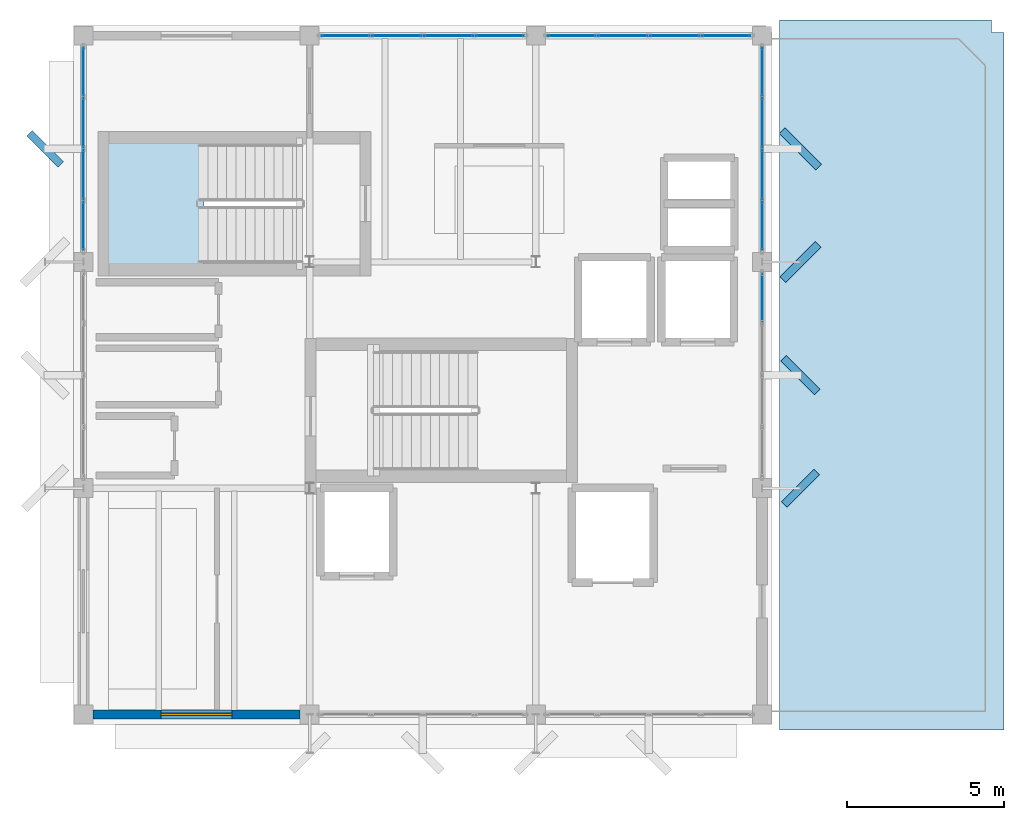
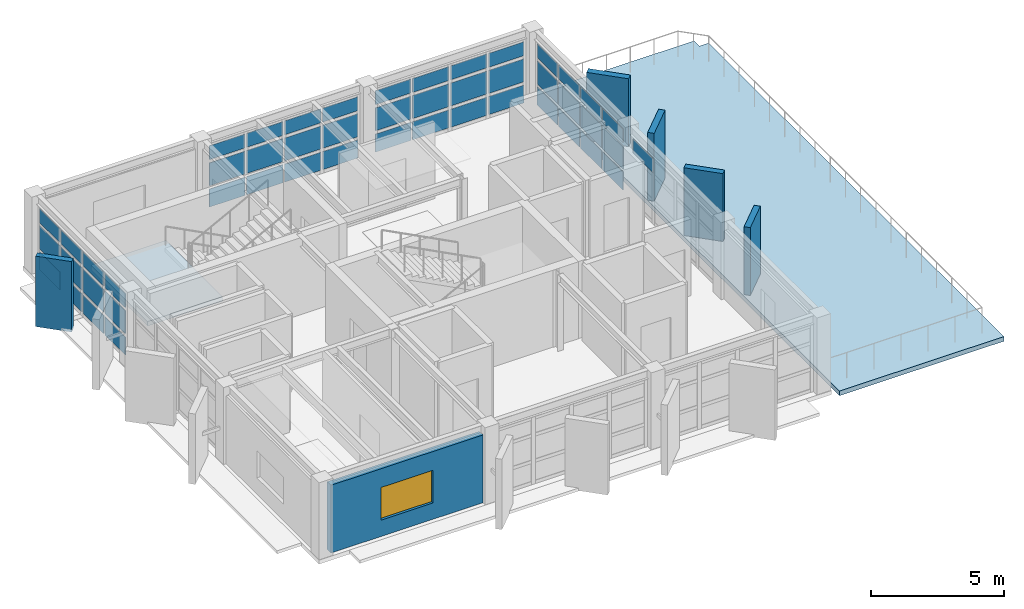
# One storey, part 8 of 13: 54 plates, 2 slabs, 1 wall, 1 window, 1 opening, 6 elements without a shape of their own.
"""IFC4 building model written with IfcOpenShell, lengths in metres."""

from ifc_helpers import new_model, si_unit, direction, frame, frame_2d, origin, origin_2d, place, context, subcontext, project, spatial, polyline, rectangle, outline, extrude, material, layer, layer_set, type_object, element, fill, aggregate, save


model = new_model("IFC4")

# Units and contexts
model_context = context("Model", 3, precision=1e-05, world=origin(), true_north=direction((0.0, 1.0)))
body_context = subcontext(model_context, "Body", "Model", "MODEL_VIEW")
ifc_project = project(units=[si_unit("LENGTHUNIT", "METRE"), si_unit("AREAUNIT", "SQUARE_METRE"), si_unit("VOLUMEUNIT", "CUBIC_METRE"), si_unit("PLANEANGLEUNIT", "RADIAN"), si_unit("MASSUNIT", "GRAM", prefix="KILO")], contexts=[model_context])

# Site, building, storey
site_placement = place(None, origin())
site = spatial("IfcSite", under=ifc_project, at=site_placement, CompositionType="ELEMENT")
building_placement = place(site_placement, origin())
building = spatial("IfcBuilding", under=site, at=building_placement, Name="Kandorven Conservatory and Botanical Research Centre", CompositionType="ELEMENT")
storey_placement = place(building_placement, frame((0.0, 0.0, 59.39990234375)))
storey = spatial("IfcBuildingStorey", under=building, at=storey_placement, Name="L15", CompositionType="ELEMENT", Elevation=59.39990234375)

# Curtain wall, plates
ifc_material_1 = material(Name="Bronze anodised thermally broken aluminium", Category="aluminium")
ifc_layer_1 = layer(ifc_material_1, 0.179931640625)
ifc_layer_set_1 = layer_set([ifc_layer_1], Name="Bronze anodised thermally broken aluminium")
curtain_wall_type = type_object("IfcCurtainWallType", Name="CW_Unitised", PredefinedType="USERDEFINED", material=ifc_layer_set_1)
curtain_wall_1_placement = place(storey_placement, origin())
curtain_wall_1 = element("IfcCurtainWall", 1, at=curtain_wall_1_placement, inside=storey, type_object=curtain_wall_type, Name="Tower laboratory curtain wall CW-TWR-N-L15-2", ObjectType="UNITISED GLAZING", PredefinedType="USERDEFINED")
ifc_material_2 = material(Name="Double-glazed solar-control low-E glass", Category="glass")
ifc_layer_2 = layer(ifc_material_2, 0.028076171875)
ifc_layer_set_2 = layer_set([ifc_layer_2], Name="Double-glazed solar-control low-E glass")
plate_type_1 = type_object("IfcPlateType", Name="CW_Panel", PredefinedType="CURTAIN_PANEL", material=ifc_layer_set_2)
plate_1_placement = place(storey_placement, frame((14.344970703125, 27.60009765625, 0.14990234375), z_axis=(0.0, 0.0, 1.0), x_axis=(1.0, 0.0, 0.0)))
plate_1 = element("IfcPlate", 2, at=plate_1_placement, type_object=plate_type_1, Name="CW-01 panel 1.1", PredefinedType="CURTAIN_PANEL", context=body_context, shape_type="SweptSolid", body=[
    extrude(rectangle(XDim=1.530029296875, YDim=0.028076171875, at=origin_2d()), origin(), (0.0, 0.0, 1.0), 0.824951171875),
])
plate_2_placement = place(storey_placement, frame((14.344970703125, 27.60009765625, 1.125), z_axis=(0.0, 0.0, 1.0), x_axis=(1.0, 0.0, 0.0)))
plate_2 = element("IfcPlate", 3, at=plate_2_placement, type_object=plate_type_1, Name="CW-01 panel 1.2", PredefinedType="CURTAIN_PANEL", context=body_context, shape_type="SweptSolid", body=[
    extrude(rectangle(XDim=1.530029296875, YDim=0.028076171875, at=origin_2d()), origin(), (0.0, 0.0, 1.0), 1.050048828125),
])
plate_3_placement = place(storey_placement, frame((14.344970703125, 27.60009765625, 2.3251953125), z_axis=(0.0, 0.0, 1.0), x_axis=(1.0, 0.0, 0.0)))
plate_3 = element("IfcPlate", 4, at=plate_3_placement, type_object=plate_type_1, Name="CW-01 panel 1.3", PredefinedType="CURTAIN_PANEL", context=body_context, shape_type="SweptSolid", body=[
    extrude(rectangle(XDim=1.530029296875, YDim=0.028076171875, at=origin_2d()), origin(), (0.0, 0.0, 1.0), 0.635009765625),
])
plate_4_placement = place(storey_placement, frame((15.97509765625, 27.60009765625, 0.14990234375), z_axis=(0.0, 0.0, 1.0), x_axis=(1.0, 0.0, 0.0)))
plate_4 = element("IfcPlate", 5, at=plate_4_placement, type_object=plate_type_1, Name="CW-01 panel 2.1", PredefinedType="CURTAIN_PANEL", context=body_context, shape_type="SweptSolid", body=[
    extrude(rectangle(XDim=1.570068359375, YDim=0.028076171875, at=origin_2d()), origin(), (0.0, 0.0, 1.0), 0.824951171875),
])
plate_5_placement = place(storey_placement, frame((15.97509765625, 27.60009765625, 1.125), z_axis=(0.0, 0.0, 1.0), x_axis=(1.0, 0.0, 0.0)))
plate_5 = element("IfcPlate", 6, at=plate_5_placement, type_object=plate_type_1, Name="CW-01 panel 2.2", PredefinedType="CURTAIN_PANEL", context=body_context, shape_type="SweptSolid", body=[
    extrude(rectangle(XDim=1.570068359375, YDim=0.028076171875, at=origin_2d()), origin(), (0.0, 0.0, 1.0), 1.050048828125),
])
plate_6_placement = place(storey_placement, frame((15.97509765625, 27.60009765625, 2.3251953125), z_axis=(0.0, 0.0, 1.0), x_axis=(1.0, 0.0, 0.0)))
plate_6 = element("IfcPlate", 7, at=plate_6_placement, type_object=plate_type_1, Name="CW-01 panel 2.3", PredefinedType="CURTAIN_PANEL", context=body_context, shape_type="SweptSolid", body=[
    extrude(rectangle(XDim=1.570068359375, YDim=0.028076171875, at=origin_2d()), origin(), (0.0, 0.0, 1.0), 0.635009765625),
])
plate_7_placement = place(storey_placement, frame((17.625, 27.60009765625, 0.14990234375), z_axis=(0.0, 0.0, 1.0), x_axis=(1.0, 0.0, 0.0)))
plate_7 = element("IfcPlate", 8, at=plate_7_placement, type_object=plate_type_1, Name="CW-01 panel 3.1", PredefinedType="CURTAIN_PANEL", context=body_context, shape_type="SweptSolid", body=[
    extrude(rectangle(XDim=1.570068359375, YDim=0.028076171875, at=origin_2d()), origin(), (0.0, 0.0, 1.0), 0.824951171875),
])
plate_8_placement = place(storey_placement, frame((17.625, 27.60009765625, 1.125), z_axis=(0.0, 0.0, 1.0), x_axis=(1.0, 0.0, 0.0)))
plate_8 = element("IfcPlate", 9, at=plate_8_placement, type_object=plate_type_1, Name="CW-01 panel 3.2", PredefinedType="CURTAIN_PANEL", context=body_context, shape_type="SweptSolid", body=[
    extrude(rectangle(XDim=1.570068359375, YDim=0.028076171875, at=origin_2d()), origin(), (0.0, 0.0, 1.0), 1.050048828125),
])
plate_9_placement = place(storey_placement, frame((17.625, 27.60009765625, 2.3251953125), z_axis=(0.0, 0.0, 1.0), x_axis=(1.0, 0.0, 0.0)))
plate_9 = element("IfcPlate", 10, at=plate_9_placement, type_object=plate_type_1, Name="CW-01 panel 3.3", PredefinedType="CURTAIN_PANEL", context=body_context, shape_type="SweptSolid", body=[
    extrude(rectangle(XDim=1.570068359375, YDim=0.028076171875, at=origin_2d()), origin(), (0.0, 0.0, 1.0), 0.635009765625),
])
plate_10_placement = place(storey_placement, frame((19.2548828125, 27.60009765625, 0.14990234375), z_axis=(0.0, 0.0, 1.0), x_axis=(1.0, 0.0, 0.0)))
plate_10 = element("IfcPlate", 11, at=plate_10_placement, type_object=plate_type_1, Name="CW-01 panel 4.1", PredefinedType="CURTAIN_PANEL", context=body_context, shape_type="SweptSolid", body=[
    extrude(rectangle(XDim=1.530029296875, YDim=0.028076171875, at=origin_2d()), origin(), (0.0, 0.0, 1.0), 0.824951171875),
])
plate_11_placement = place(storey_placement, frame((19.2548828125, 27.60009765625, 1.125), z_axis=(0.0, 0.0, 1.0), x_axis=(1.0, 0.0, 0.0)))
plate_11 = element("IfcPlate", 12, at=plate_11_placement, type_object=plate_type_1, Name="CW-01 panel 4.2", PredefinedType="CURTAIN_PANEL", context=body_context, shape_type="SweptSolid", body=[
    extrude(rectangle(XDim=1.530029296875, YDim=0.028076171875, at=origin_2d()), origin(), (0.0, 0.0, 1.0), 1.050048828125),
])
plate_12_placement = place(storey_placement, frame((19.2548828125, 27.60009765625, 2.3251953125), z_axis=(0.0, 0.0, 1.0), x_axis=(1.0, 0.0, 0.0)))
plate_12 = element("IfcPlate", 13, at=plate_12_placement, type_object=plate_type_1, Name="CW-01 panel 4.3", PredefinedType="CURTAIN_PANEL", context=body_context, shape_type="SweptSolid", body=[
    extrude(rectangle(XDim=1.530029296875, YDim=0.028076171875, at=origin_2d()), origin(), (0.0, 0.0, 1.0), 0.635009765625),
])
aggregate(curtain_wall_1, [plate_1, plate_2, plate_3, plate_4, plate_5, plate_6, plate_7, plate_8, plate_9, plate_10, plate_11, plate_12])

curtain_wall_2_placement = place(storey_placement, origin())
curtain_wall_2 = element("IfcCurtainWall", 14, at=curtain_wall_2_placement, inside=storey, type_object=curtain_wall_type, Name="Tower laboratory curtain wall CW-TWR-N-L15-3", ObjectType="UNITISED GLAZING", PredefinedType="USERDEFINED")
plate_13_placement = place(storey_placement, frame((21.544921875, 27.60009765625, 0.14990234375), z_axis=(0.0, 0.0, 1.0), x_axis=(1.0, 0.0, 0.0)))
plate_13 = element("IfcPlate", 15, at=plate_13_placement, type_object=plate_type_1, Name="CW-01 panel 1.1", PredefinedType="CURTAIN_PANEL", context=body_context, shape_type="SweptSolid", body=[
    extrude(rectangle(XDim=1.530029296875, YDim=0.028076171875, at=origin_2d()), origin(), (0.0, 0.0, 1.0), 0.824951171875),
])
plate_14_placement = place(storey_placement, frame((21.544921875, 27.60009765625, 1.125), z_axis=(0.0, 0.0, 1.0), x_axis=(1.0, 0.0, 0.0)))
plate_14 = element("IfcPlate", 16, at=plate_14_placement, type_object=plate_type_1, Name="CW-01 panel 1.2", PredefinedType="CURTAIN_PANEL", context=body_context, shape_type="SweptSolid", body=[
    extrude(rectangle(XDim=1.530029296875, YDim=0.028076171875, at=origin_2d()), origin(), (0.0, 0.0, 1.0), 1.050048828125),
])
plate_15_placement = place(storey_placement, frame((21.544921875, 27.60009765625, 2.3251953125), z_axis=(0.0, 0.0, 1.0), x_axis=(1.0, 0.0, 0.0)))
plate_15 = element("IfcPlate", 17, at=plate_15_placement, type_object=plate_type_1, Name="CW-01 panel 1.3", PredefinedType="CURTAIN_PANEL", context=body_context, shape_type="SweptSolid", body=[
    extrude(rectangle(XDim=1.530029296875, YDim=0.028076171875, at=origin_2d()), origin(), (0.0, 0.0, 1.0), 0.635009765625),
])
plate_16_placement = place(storey_placement, frame((23.175048828125, 27.60009765625, 0.14990234375), z_axis=(0.0, 0.0, 1.0), x_axis=(1.0, 0.0, 0.0)))
plate_16 = element("IfcPlate", 18, at=plate_16_placement, type_object=plate_type_1, Name="CW-01 panel 2.1", PredefinedType="CURTAIN_PANEL", context=body_context, shape_type="SweptSolid", body=[
    extrude(rectangle(XDim=1.570068359375, YDim=0.028076171875, at=origin_2d()), origin(), (0.0, 0.0, 1.0), 0.824951171875),
])
plate_17_placement = place(storey_placement, frame((23.175048828125, 27.60009765625, 1.125), z_axis=(0.0, 0.0, 1.0), x_axis=(1.0, 0.0, 0.0)))
plate_17 = element("IfcPlate", 19, at=plate_17_placement, type_object=plate_type_1, Name="CW-01 panel 2.2", PredefinedType="CURTAIN_PANEL", context=body_context, shape_type="SweptSolid", body=[
    extrude(rectangle(XDim=1.570068359375, YDim=0.028076171875, at=origin_2d()), origin(), (0.0, 0.0, 1.0), 1.050048828125),
])
plate_18_placement = place(storey_placement, frame((23.175048828125, 27.60009765625, 2.3251953125), z_axis=(0.0, 0.0, 1.0), x_axis=(1.0, 0.0, 0.0)))
plate_18 = element("IfcPlate", 20, at=plate_18_placement, type_object=plate_type_1, Name="CW-01 panel 2.3", PredefinedType="CURTAIN_PANEL", context=body_context, shape_type="SweptSolid", body=[
    extrude(rectangle(XDim=1.570068359375, YDim=0.028076171875, at=origin_2d()), origin(), (0.0, 0.0, 1.0), 0.635009765625),
])
plate_19_placement = place(storey_placement, frame((24.824951171875, 27.60009765625, 0.14990234375), z_axis=(0.0, 0.0, 1.0), x_axis=(1.0, 0.0, 0.0)))
plate_19 = element("IfcPlate", 21, at=plate_19_placement, type_object=plate_type_1, Name="CW-01 panel 3.1", PredefinedType="CURTAIN_PANEL", context=body_context, shape_type="SweptSolid", body=[
    extrude(rectangle(XDim=1.570068359375, YDim=0.028076171875, at=origin_2d()), origin(), (0.0, 0.0, 1.0), 0.824951171875),
])
plate_20_placement = place(storey_placement, frame((24.824951171875, 27.60009765625, 1.125), z_axis=(0.0, 0.0, 1.0), x_axis=(1.0, 0.0, 0.0)))
plate_20 = element("IfcPlate", 22, at=plate_20_placement, type_object=plate_type_1, Name="CW-01 panel 3.2", PredefinedType="CURTAIN_PANEL", context=body_context, shape_type="SweptSolid", body=[
    extrude(rectangle(XDim=1.570068359375, YDim=0.028076171875, at=origin_2d()), origin(), (0.0, 0.0, 1.0), 1.050048828125),
])
plate_21_placement = place(storey_placement, frame((24.824951171875, 27.60009765625, 2.3251953125), z_axis=(0.0, 0.0, 1.0), x_axis=(1.0, 0.0, 0.0)))
plate_21 = element("IfcPlate", 23, at=plate_21_placement, type_object=plate_type_1, Name="CW-01 panel 3.3", PredefinedType="CURTAIN_PANEL", context=body_context, shape_type="SweptSolid", body=[
    extrude(rectangle(XDim=1.570068359375, YDim=0.028076171875, at=origin_2d()), origin(), (0.0, 0.0, 1.0), 0.635009765625),
])
plate_22_placement = place(storey_placement, frame((26.455078125, 27.60009765625, 0.14990234375), z_axis=(0.0, 0.0, 1.0), x_axis=(1.0, 0.0, 0.0)))
plate_22 = element("IfcPlate", 24, at=plate_22_placement, type_object=plate_type_1, Name="CW-01 panel 4.1", PredefinedType="CURTAIN_PANEL", context=body_context, shape_type="SweptSolid", body=[
    extrude(rectangle(XDim=1.530029296875, YDim=0.028076171875, at=origin_2d()), origin(), (0.0, 0.0, 1.0), 0.824951171875),
])
plate_23_placement = place(storey_placement, frame((26.455078125, 27.60009765625, 1.125), z_axis=(0.0, 0.0, 1.0), x_axis=(1.0, 0.0, 0.0)))
plate_23 = element("IfcPlate", 25, at=plate_23_placement, type_object=plate_type_1, Name="CW-01 panel 4.2", PredefinedType="CURTAIN_PANEL", context=body_context, shape_type="SweptSolid", body=[
    extrude(rectangle(XDim=1.530029296875, YDim=0.028076171875, at=origin_2d()), origin(), (0.0, 0.0, 1.0), 1.050048828125),
])
plate_24_placement = place(storey_placement, frame((26.455078125, 27.60009765625, 2.3251953125), z_axis=(0.0, 0.0, 1.0), x_axis=(1.0, 0.0, 0.0)))
plate_24 = element("IfcPlate", 26, at=plate_24_placement, type_object=plate_type_1, Name="CW-01 panel 4.3", PredefinedType="CURTAIN_PANEL", context=body_context, shape_type="SweptSolid", body=[
    extrude(rectangle(XDim=1.530029296875, YDim=0.028076171875, at=origin_2d()), origin(), (0.0, 0.0, 1.0), 0.635009765625),
])
aggregate(curtain_wall_2, [plate_13, plate_14, plate_15, plate_16, plate_17, plate_18, plate_19, plate_20, plate_21, plate_22, plate_23, plate_24])

curtain_wall_3_placement = place(storey_placement, origin())
curtain_wall_3 = element("IfcCurtainWall", 27, at=curtain_wall_3_placement, inside=storey, type_object=curtain_wall_type, Name="Tower laboratory curtain wall CW-TWR-W-L15-3", ObjectType="UNITISED GLAZING", PredefinedType="USERDEFINED")
plate_25_placement = place(storey_placement, frame((6.0, 21.544921875, 0.14990234375), z_axis=(0.0, 0.0, 1.0), x_axis=(0.0, 1.0, 0.0)))
plate_25 = element("IfcPlate", 28, at=plate_25_placement, type_object=plate_type_1, Name="CW-01 panel 1.1", PredefinedType="CURTAIN_PANEL", context=body_context, shape_type="SweptSolid", body=[
    extrude(rectangle(XDim=1.530029296875, YDim=0.028076171875, at=origin_2d()), origin(), (0.0, 0.0, 1.0), 0.824951171875),
])
plate_26_placement = place(storey_placement, frame((6.0, 21.544921875, 1.125), z_axis=(0.0, 0.0, 1.0), x_axis=(0.0, 1.0, 0.0)))
plate_26 = element("IfcPlate", 29, at=plate_26_placement, type_object=plate_type_1, Name="CW-01 panel 1.2", PredefinedType="CURTAIN_PANEL", context=body_context, shape_type="SweptSolid", body=[
    extrude(rectangle(XDim=1.530029296875, YDim=0.028076171875, at=origin_2d()), origin(), (0.0, 0.0, 1.0), 1.050048828125),
])
plate_27_placement = place(storey_placement, frame((6.0, 21.544921875, 2.3251953125), z_axis=(0.0, 0.0, 1.0), x_axis=(0.0, 1.0, 0.0)))
plate_27 = element("IfcPlate", 30, at=plate_27_placement, type_object=plate_type_1, Name="CW-01 panel 1.3", PredefinedType="CURTAIN_PANEL", context=body_context, shape_type="SweptSolid", body=[
    extrude(rectangle(XDim=1.530029296875, YDim=0.028076171875, at=origin_2d()), origin(), (0.0, 0.0, 1.0), 0.635009765625),
])
plate_28_placement = place(storey_placement, frame((6.0, 23.175048828125, 0.14990234375), z_axis=(0.0, 0.0, 1.0), x_axis=(0.0, 1.0, 0.0)))
plate_28 = element("IfcPlate", 31, at=plate_28_placement, type_object=plate_type_1, Name="CW-01 panel 2.1", PredefinedType="CURTAIN_PANEL", context=body_context, shape_type="SweptSolid", body=[
    extrude(rectangle(XDim=1.570068359375, YDim=0.028076171875, at=origin_2d()), origin(), (0.0, 0.0, 1.0), 0.824951171875),
])
plate_29_placement = place(storey_placement, frame((6.0, 23.175048828125, 1.125), z_axis=(0.0, 0.0, 1.0), x_axis=(0.0, 1.0, 0.0)))
plate_29 = element("IfcPlate", 32, at=plate_29_placement, type_object=plate_type_1, Name="CW-01 panel 2.2", PredefinedType="CURTAIN_PANEL", context=body_context, shape_type="SweptSolid", body=[
    extrude(rectangle(XDim=1.570068359375, YDim=0.028076171875, at=origin_2d()), origin(), (0.0, 0.0, 1.0), 1.050048828125),
])
plate_30_placement = place(storey_placement, frame((6.0, 23.175048828125, 2.3251953125), z_axis=(0.0, 0.0, 1.0), x_axis=(0.0, 1.0, 0.0)))
plate_30 = element("IfcPlate", 33, at=plate_30_placement, type_object=plate_type_1, Name="CW-01 panel 2.3", PredefinedType="CURTAIN_PANEL", context=body_context, shape_type="SweptSolid", body=[
    extrude(rectangle(XDim=1.570068359375, YDim=0.028076171875, at=origin_2d()), origin(), (0.0, 0.0, 1.0), 0.635009765625),
])
plate_31_placement = place(storey_placement, frame((6.0, 24.824951171875, 0.14990234375), z_axis=(0.0, 0.0, 1.0), x_axis=(0.0, 1.0, 0.0)))
plate_31 = element("IfcPlate", 34, at=plate_31_placement, type_object=plate_type_1, Name="CW-01 panel 3.1", PredefinedType="CURTAIN_PANEL", context=body_context, shape_type="SweptSolid", body=[
    extrude(rectangle(XDim=1.570068359375, YDim=0.028076171875, at=origin_2d()), origin(), (0.0, 0.0, 1.0), 0.824951171875),
])
plate_32_placement = place(storey_placement, frame((6.0, 24.824951171875, 1.125), z_axis=(0.0, 0.0, 1.0), x_axis=(0.0, 1.0, 0.0)))
plate_32 = element("IfcPlate", 35, at=plate_32_placement, type_object=plate_type_1, Name="CW-01 panel 3.2", PredefinedType="CURTAIN_PANEL", context=body_context, shape_type="SweptSolid", body=[
    extrude(rectangle(XDim=1.570068359375, YDim=0.028076171875, at=origin_2d()), origin(), (0.0, 0.0, 1.0), 1.050048828125),
])
plate_33_placement = place(storey_placement, frame((6.0, 24.824951171875, 2.3251953125), z_axis=(0.0, 0.0, 1.0), x_axis=(0.0, 1.0, 0.0)))
plate_33 = element("IfcPlate", 36, at=plate_33_placement, type_object=plate_type_1, Name="CW-01 panel 3.3", PredefinedType="CURTAIN_PANEL", context=body_context, shape_type="SweptSolid", body=[
    extrude(rectangle(XDim=1.570068359375, YDim=0.028076171875, at=origin_2d()), origin(), (0.0, 0.0, 1.0), 0.635009765625),
])
plate_34_placement = place(storey_placement, frame((6.0, 26.455078125, 0.14990234375), z_axis=(0.0, 0.0, 1.0), x_axis=(0.0, 1.0, 0.0)))
plate_34 = element("IfcPlate", 37, at=plate_34_placement, type_object=plate_type_1, Name="CW-01 panel 4.1", PredefinedType="CURTAIN_PANEL", context=body_context, shape_type="SweptSolid", body=[
    extrude(rectangle(XDim=1.530029296875, YDim=0.028076171875, at=origin_2d()), origin(), (0.0, 0.0, 1.0), 0.824951171875),
])
plate_35_placement = place(storey_placement, frame((6.0, 26.455078125, 1.125), z_axis=(0.0, 0.0, 1.0), x_axis=(0.0, 1.0, 0.0)))
plate_35 = element("IfcPlate", 38, at=plate_35_placement, type_object=plate_type_1, Name="CW-01 panel 4.2", PredefinedType="CURTAIN_PANEL", context=body_context, shape_type="SweptSolid", body=[
    extrude(rectangle(XDim=1.530029296875, YDim=0.028076171875, at=origin_2d()), origin(), (0.0, 0.0, 1.0), 1.050048828125),
])
plate_36_placement = place(storey_placement, frame((6.0, 26.455078125, 2.3251953125), z_axis=(0.0, 0.0, 1.0), x_axis=(0.0, 1.0, 0.0)))
plate_36 = element("IfcPlate", 39, at=plate_36_placement, type_object=plate_type_1, Name="CW-01 panel 4.3", PredefinedType="CURTAIN_PANEL", context=body_context, shape_type="SweptSolid", body=[
    extrude(rectangle(XDim=1.530029296875, YDim=0.028076171875, at=origin_2d()), origin(), (0.0, 0.0, 1.0), 0.635009765625),
])
aggregate(curtain_wall_3, [plate_25, plate_26, plate_27, plate_28, plate_29, plate_30, plate_31, plate_32, plate_33, plate_34, plate_35, plate_36])

# Curtain wall, plate
curtain_wall_4_placement = place(storey_placement, origin())
curtain_wall_4 = element("IfcCurtainWall", 40, at=curtain_wall_4_placement, inside=storey, type_object=curtain_wall_type, Name="Tower laboratory curtain wall CW-TWR-E-L15-2", ObjectType="UNITISED GLAZING", PredefinedType="USERDEFINED")
plate_37_placement = place(storey_placement, frame((27.60009765625, 19.2548828125, 2.3251953125), z_axis=(0.0, 0.0, 1.0), x_axis=(0.0, 1.0, 0.0)))
plate_37 = element("IfcPlate", 41, at=plate_37_placement, type_object=plate_type_1, Name="CW-01 panel 4.3", PredefinedType="CURTAIN_PANEL", context=body_context, shape_type="SweptSolid", body=[
    extrude(rectangle(XDim=1.530029296875, YDim=0.028076171875, at=origin_2d()), origin(), (0.0, 0.0, 1.0), 0.635009765625),
])
aggregate(curtain_wall_4, [plate_37])

# Curtain wall, plates
curtain_wall_5_placement = place(storey_placement, origin())
curtain_wall_5 = element("IfcCurtainWall", 42, at=curtain_wall_5_placement, inside=storey, type_object=curtain_wall_type, Name="Tower laboratory curtain wall CW-TWR-E-L15-3", ObjectType="UNITISED GLAZING", PredefinedType="USERDEFINED")
plate_38_placement = place(storey_placement, frame((27.60009765625, 21.544921875, 0.14990234375), z_axis=(0.0, 0.0, 1.0), x_axis=(0.0, 1.0, 0.0)))
plate_38 = element("IfcPlate", 43, at=plate_38_placement, type_object=plate_type_1, Name="CW-01 panel 1.1", PredefinedType="CURTAIN_PANEL", context=body_context, shape_type="SweptSolid", body=[
    extrude(rectangle(XDim=1.530029296875, YDim=0.028076171875, at=origin_2d()), origin(), (0.0, 0.0, 1.0), 0.824951171875),
])
plate_39_placement = place(storey_placement, frame((27.60009765625, 21.544921875, 1.125), z_axis=(0.0, 0.0, 1.0), x_axis=(0.0, 1.0, 0.0)))
plate_39 = element("IfcPlate", 44, at=plate_39_placement, type_object=plate_type_1, Name="CW-01 panel 1.2", PredefinedType="CURTAIN_PANEL", context=body_context, shape_type="SweptSolid", body=[
    extrude(rectangle(XDim=1.530029296875, YDim=0.028076171875, at=origin_2d()), origin(), (0.0, 0.0, 1.0), 1.050048828125),
])
plate_40_placement = place(storey_placement, frame((27.60009765625, 21.544921875, 2.3251953125), z_axis=(0.0, 0.0, 1.0), x_axis=(0.0, 1.0, 0.0)))
plate_40 = element("IfcPlate", 45, at=plate_40_placement, type_object=plate_type_1, Name="CW-01 panel 1.3", PredefinedType="CURTAIN_PANEL", context=body_context, shape_type="SweptSolid", body=[
    extrude(rectangle(XDim=1.530029296875, YDim=0.028076171875, at=origin_2d()), origin(), (0.0, 0.0, 1.0), 0.635009765625),
])
plate_41_placement = place(storey_placement, frame((27.60009765625, 23.175048828125, 0.14990234375), z_axis=(0.0, 0.0, 1.0), x_axis=(0.0, 1.0, 0.0)))
plate_41 = element("IfcPlate", 46, at=plate_41_placement, type_object=plate_type_1, Name="CW-01 panel 2.1", PredefinedType="CURTAIN_PANEL", context=body_context, shape_type="SweptSolid", body=[
    extrude(rectangle(XDim=1.570068359375, YDim=0.028076171875, at=origin_2d()), origin(), (0.0, 0.0, 1.0), 0.824951171875),
])
plate_42_placement = place(storey_placement, frame((27.60009765625, 23.175048828125, 1.125), z_axis=(0.0, 0.0, 1.0), x_axis=(0.0, 1.0, 0.0)))
plate_42 = element("IfcPlate", 47, at=plate_42_placement, type_object=plate_type_1, Name="CW-01 panel 2.2", PredefinedType="CURTAIN_PANEL", context=body_context, shape_type="SweptSolid", body=[
    extrude(rectangle(XDim=1.570068359375, YDim=0.028076171875, at=origin_2d()), origin(), (0.0, 0.0, 1.0), 1.050048828125),
])
plate_43_placement = place(storey_placement, frame((27.60009765625, 23.175048828125, 2.3251953125), z_axis=(0.0, 0.0, 1.0), x_axis=(0.0, 1.0, 0.0)))
plate_43 = element("IfcPlate", 48, at=plate_43_placement, type_object=plate_type_1, Name="CW-01 panel 2.3", PredefinedType="CURTAIN_PANEL", context=body_context, shape_type="SweptSolid", body=[
    extrude(rectangle(XDim=1.570068359375, YDim=0.028076171875, at=origin_2d()), origin(), (0.0, 0.0, 1.0), 0.635009765625),
])
plate_44_placement = place(storey_placement, frame((27.60009765625, 24.824951171875, 0.14990234375), z_axis=(0.0, 0.0, 1.0), x_axis=(0.0, 1.0, 0.0)))
plate_44 = element("IfcPlate", 49, at=plate_44_placement, type_object=plate_type_1, Name="CW-01 panel 3.1", PredefinedType="CURTAIN_PANEL", context=body_context, shape_type="SweptSolid", body=[
    extrude(rectangle(XDim=1.570068359375, YDim=0.028076171875, at=origin_2d()), origin(), (0.0, 0.0, 1.0), 0.824951171875),
])
plate_45_placement = place(storey_placement, frame((27.60009765625, 24.824951171875, 1.125), z_axis=(0.0, 0.0, 1.0), x_axis=(0.0, 1.0, 0.0)))
plate_45 = element("IfcPlate", 50, at=plate_45_placement, type_object=plate_type_1, Name="CW-01 panel 3.2", PredefinedType="CURTAIN_PANEL", context=body_context, shape_type="SweptSolid", body=[
    extrude(rectangle(XDim=1.570068359375, YDim=0.028076171875, at=origin_2d()), origin(), (0.0, 0.0, 1.0), 1.050048828125),
])
plate_46_placement = place(storey_placement, frame((27.60009765625, 24.824951171875, 2.3251953125), z_axis=(0.0, 0.0, 1.0), x_axis=(0.0, 1.0, 0.0)))
plate_46 = element("IfcPlate", 51, at=plate_46_placement, type_object=plate_type_1, Name="CW-01 panel 3.3", PredefinedType="CURTAIN_PANEL", context=body_context, shape_type="SweptSolid", body=[
    extrude(rectangle(XDim=1.570068359375, YDim=0.028076171875, at=origin_2d()), origin(), (0.0, 0.0, 1.0), 0.635009765625),
])
plate_47_placement = place(storey_placement, frame((27.60009765625, 26.455078125, 0.14990234375), z_axis=(0.0, 0.0, 1.0), x_axis=(0.0, 1.0, 0.0)))
plate_47 = element("IfcPlate", 52, at=plate_47_placement, type_object=plate_type_1, Name="CW-01 panel 4.1", PredefinedType="CURTAIN_PANEL", context=body_context, shape_type="SweptSolid", body=[
    extrude(rectangle(XDim=1.530029296875, YDim=0.028076171875, at=origin_2d()), origin(), (0.0, 0.0, 1.0), 0.824951171875),
])
plate_48_placement = place(storey_placement, frame((27.60009765625, 26.455078125, 1.125), z_axis=(0.0, 0.0, 1.0), x_axis=(0.0, 1.0, 0.0)))
plate_48 = element("IfcPlate", 53, at=plate_48_placement, type_object=plate_type_1, Name="CW-01 panel 4.2", PredefinedType="CURTAIN_PANEL", context=body_context, shape_type="SweptSolid", body=[
    extrude(rectangle(XDim=1.530029296875, YDim=0.028076171875, at=origin_2d()), origin(), (0.0, 0.0, 1.0), 1.050048828125),
])
plate_49_placement = place(storey_placement, frame((27.60009765625, 26.455078125, 2.3251953125), z_axis=(0.0, 0.0, 1.0), x_axis=(0.0, 1.0, 0.0)))
plate_49 = element("IfcPlate", 54, at=plate_49_placement, type_object=plate_type_1, Name="CW-01 panel 4.3", PredefinedType="CURTAIN_PANEL", context=body_context, shape_type="SweptSolid", body=[
    extrude(rectangle(XDim=1.530029296875, YDim=0.028076171875, at=origin_2d()), origin(), (0.0, 0.0, 1.0), 0.635009765625),
])
aggregate(curtain_wall_5, [plate_38, plate_39, plate_40, plate_41, plate_42, plate_43, plate_44, plate_45, plate_46, plate_47, plate_48, plate_49])

# Plates
ifc_material_3 = material(Name="Precast concrete C40/50 (M50)", Category="concrete")
ifc_layer_3 = layer(ifc_material_3, 0.239990234375)
ifc_layer_set_3 = layer_set([ifc_layer_3], Name="Precast concrete C40/50 (M50)")
plate_type_2 = type_object("IfcPlateType", Name="Fin_BF-01", PredefinedType="USERDEFINED", material=ifc_layer_set_3)
plate_50_placement = place(storey_placement, frame((4.780029296875, 24.0, -0.119873046875), z_axis=(0.0, 0.0, 1.0), x_axis=(-0.707106781187, 0.707106781187, 0.0)))
element("IfcPlate", 55, at=plate_50_placement, inside=storey, type_object=plate_type_2, Name="Sculpted board-marked concrete brise-soleil fin BF-01", ObjectType="SOLAR FIN", PredefinedType="USERDEFINED", context=body_context, shape_type="SweptSolid", body=[
    extrude(rectangle(XDim=1.39990234375, YDim=0.239990234375, at=origin_2d()), origin(), (0.0, 0.0, 1.0), 3.22998046875),
])
ifc_material_4 = material(Name="Precast concrete C40/50 (M50)", Category="concrete")
ifc_layer_4 = layer(ifc_material_4, 0.2451171875)
ifc_layer_set_4 = layer_set([ifc_layer_4], Name="Precast concrete C40/50 (M50)")
plate_type_3 = type_object("IfcPlateType", Name="Fin_BF-02", PredefinedType="USERDEFINED", material=ifc_layer_set_4)
plate_51_placement = place(storey_placement, frame((28.820068359375, 13.199951171875, -0.119873046875), z_axis=(0.0, 0.0, 1.0), x_axis=(0.707106781187, 0.707106781187, 0.0)))
element("IfcPlate", 56, at=plate_51_placement, inside=storey, type_object=plate_type_3, Name="Sculpted board-marked concrete brise-soleil fin BF-02", ObjectType="SOLAR FIN", PredefinedType="USERDEFINED", context=body_context, shape_type="SweptSolid", body=[
    extrude(rectangle(XDim=1.4599609375, YDim=0.2451171875, at=origin_2d()), origin(), (0.0, 0.0, 1.0), 3.22998046875),
])
ifc_material_5 = material(Name="Precast concrete C40/50 (M50)", Category="concrete")
ifc_layer_5 = layer(ifc_material_5, 0.25)
ifc_layer_set_5 = layer_set([ifc_layer_5], Name="Precast concrete C40/50 (M50)")
plate_type_4 = type_object("IfcPlateType", Name="Fin_BF-03", PredefinedType="USERDEFINED", material=ifc_layer_set_5)
plate_52_placement = place(storey_placement, frame((28.820068359375, 16.800048828125, -0.119873046875), z_axis=(0.0, 0.0, 1.0), x_axis=(-0.707106781187, 0.707106781187, 0.0)))
element("IfcPlate", 57, at=plate_52_placement, inside=storey, type_object=plate_type_4, Name="Sculpted board-marked concrete brise-soleil fin BF-03", ObjectType="SOLAR FIN", PredefinedType="USERDEFINED", context=body_context, shape_type="SweptSolid", body=[
    extrude(rectangle(XDim=1.52001953125, YDim=0.25, at=origin_2d()), origin(), (0.0, 0.0, 1.0), 3.22998046875),
])
ifc_material_6 = material(Name="Precast concrete C40/50 (M50)", Category="concrete")
ifc_layer_6 = layer(ifc_material_6, 0.2548828125)
ifc_layer_set_6 = layer_set([ifc_layer_6], Name="Precast concrete C40/50 (M50)")
plate_type_5 = type_object("IfcPlateType", Name="Fin_BF-04", PredefinedType="USERDEFINED", material=ifc_layer_set_6)
plate_53_placement = place(storey_placement, frame((28.820068359375, 20.39990234375, -0.119873046875), z_axis=(0.0, 0.0, 1.0), x_axis=(0.707106781187, 0.707106781187, 0.0)))
element("IfcPlate", 58, at=plate_53_placement, inside=storey, type_object=plate_type_5, Name="Sculpted board-marked concrete brise-soleil fin BF-04", ObjectType="SOLAR FIN", PredefinedType="USERDEFINED", context=body_context, shape_type="SweptSolid", body=[
    extrude(rectangle(XDim=1.580078125, YDim=0.2548828125, at=origin_2d()), origin(), (0.0, 0.0, 1.0), 3.22998046875),
])
ifc_material_7 = material(Name="Precast concrete C40/50 (M50)", Category="concrete")
ifc_layer_7 = layer(ifc_material_7, 0.260009765625)
ifc_layer_set_7 = layer_set([ifc_layer_7], Name="Precast concrete C40/50 (M50)")
plate_type_6 = type_object("IfcPlateType", Name="Fin_BF-05", PredefinedType="USERDEFINED", material=ifc_layer_set_7)
plate_54_placement = place(storey_placement, frame((28.820068359375, 24.0, -0.119873046875), z_axis=(0.0, 0.0, 1.0), x_axis=(-0.707106781187, 0.707106781187, 0.0)))
element("IfcPlate", 59, at=plate_54_placement, inside=storey, type_object=plate_type_6, Name="Sculpted board-marked concrete brise-soleil fin BF-05", ObjectType="SOLAR FIN", PredefinedType="USERDEFINED", context=body_context, shape_type="SweptSolid", body=[
    extrude(rectangle(XDim=1.639892578125, YDim=0.260009765625, at=origin_2d()), origin(), (0.0, 0.0, 1.0), 3.22998046875),
])

# Slab
ifc_material_8 = material(Name="Concrete C32/40 (M40)", Category="concrete")
ifc_layer_8 = layer(ifc_material_8, 0.2119140625)
ifc_layer_set_8 = layer_set([ifc_layer_8], Name="Concrete C32/40 (M40)")
slab_type_1 = type_object("IfcSlabType", Name="Slab_RS-05", PredefinedType="ROOF", material=ifc_layer_set_8)
slab_1_placement = place(storey_placement, frame((0.0, 0.0, -0.2119140625)))
element("IfcSlab", 60, at=slab_1_placement, inside=storey, type_object=slab_type_1, Name="Level L15 guarded refuge and observation terrace slab", PredefinedType="ROOF", context=body_context, shape_type="SweptSolid", body=[
    extrude(outline(polyline([(28.159912109375, 5.5), (35.300048828125, 5.5), (35.300048828125, 27.699951171875), (34.89990234375, 27.699951171875), (34.89990234375, 28.10009765625), (28.159912109375, 28.10009765625), (28.159912109375, 5.5)])), origin(), (0.0, 0.0, 1.0), 0.2119140625),
])

# Stair, slab
ifc_material_9 = material(Name="Concrete C32/40 (M40)", Category="concrete")
stair_type = type_object("IfcStairType", Name="Stair_1820", PredefinedType="HALF_TURN_STAIR", material=ifc_material_9)
stair_placement = place(storey_placement, origin())
stair = element("IfcStair", 61, at=stair_placement, inside=storey, type_object=stair_type, Name="L15 Tower Fire Stair ST-T2", PredefinedType="HALF_TURN_STAIR")
ifc_material_10 = material(Name="Concrete C32/40 (M40)", Category="concrete")
ifc_layer_9 = layer(ifc_material_10, 0.199951171875)
ifc_layer_set_9 = layer_set([ifc_layer_9], Name="Concrete C32/40 (M40)")
slab_type_2 = type_object("IfcSlabType", Name="StairLanding_200", PredefinedType="LANDING", material=ifc_layer_set_9)
slab_2_placement = place(storey_placement, frame((0.0, 0.0, 1.675048828125)))
slab_2 = element("IfcSlab", 62, at=slab_2_placement, type_object=slab_type_2, Name="ST-T2 landing 1", PredefinedType="LANDING", context=body_context, shape_type="SweptSolid", body=[
    extrude(outline(polyline([(9.840576171875, 24.389892578125), (6.580078125, 24.389892578125), (6.580078125, 20.1201171875), (9.840576171875, 20.1201171875), (9.840576171875, 24.389892578125)])), origin(), (0.0, 0.0, 1.0), 0.199951171875),
])
aggregate(stair, [slab_2])

# Wall, opening, window
ifc_material_11 = material(Name="Concrete C32/40 (M40)", Category="concrete")
ifc_layer_10 = layer(ifc_material_11, 0.280029296875)
ifc_layer_set_10 = layer_set([ifc_layer_10], Name="Concrete C32/40 (M40)")
wall_type = type_object("IfcWallType", Name="Wall_EW-05", PredefinedType="STANDARD", material=ifc_layer_set_10)
wall_placement = place(storey_placement, frame((6.300048828125, 6.0, 0.0), z_axis=(0.0, 0.0, 1.0), x_axis=(1.0, 0.0, 0.0)))
wall = element("IfcWall", 63, at=wall_placement, inside=storey, type_object=wall_type, Name="Tower concrete facade wall EW-05 S L15", PredefinedType="STANDARD", context=body_context, shape_type="SweptSolid", body=[
    extrude(rectangle(XDim=6.599853515625, YDim=0.280029296875, at=frame_2d((3.2998046875, 0.0))), origin(), (0.0, 0.0, 1.0), 3.110107421875),
])
opening_placement = place(wall_placement, frame((2.175048828125, 0.0, 0.75)))
opening = element("IfcOpeningElement", 64, at=opening_placement, cuts=wall, Name="Opening W-43", PredefinedType="OPENING", context=body_context, shape_type="SweptSolid", body=[
    extrude(rectangle(XDim=2.25, YDim=1.5, at=frame_2d((1.125, 0.75))), frame((0.0, 0.14990234375, 0.0), z_axis=(0.0, -1.0, 0.0), x_axis=(1.0, 0.0, 0.0)), (0.0, 0.0, 1.0), 0.300048828125),
])
ifc_material_12 = material(Name="Double-glazed solar-control low-E glass", Category="glass")
window_type = type_object("IfcWindowType", Name="Win_W-43", PartitioningType="DOUBLE_PANEL_VERTICAL", PredefinedType="WINDOW", material=ifc_material_12)
window_placement = place(opening_placement, origin())
window = element("IfcWindow", 65, at=window_placement, inside=storey, type_object=window_type, Name="Tower recessed solar window W-43", OverallHeight=1.5, OverallWidth=2.25, PartitioningType="SINGLE_PANEL", PredefinedType="WINDOW", context=body_context, shape_type="SweptSolid", body=[
    extrude(rectangle(XDim=2.25, YDim=1.5, at=frame_2d((1.125, 0.75))), frame((0.0, 0.030029296875, 0.0), z_axis=(0.0, -1.0, 0.0), x_axis=(1.0, 0.0, 0.0)), (0.0, 0.0, 1.0), 0.06005859375),
])
fill(opening, window)

save(model, "model.ifc")
